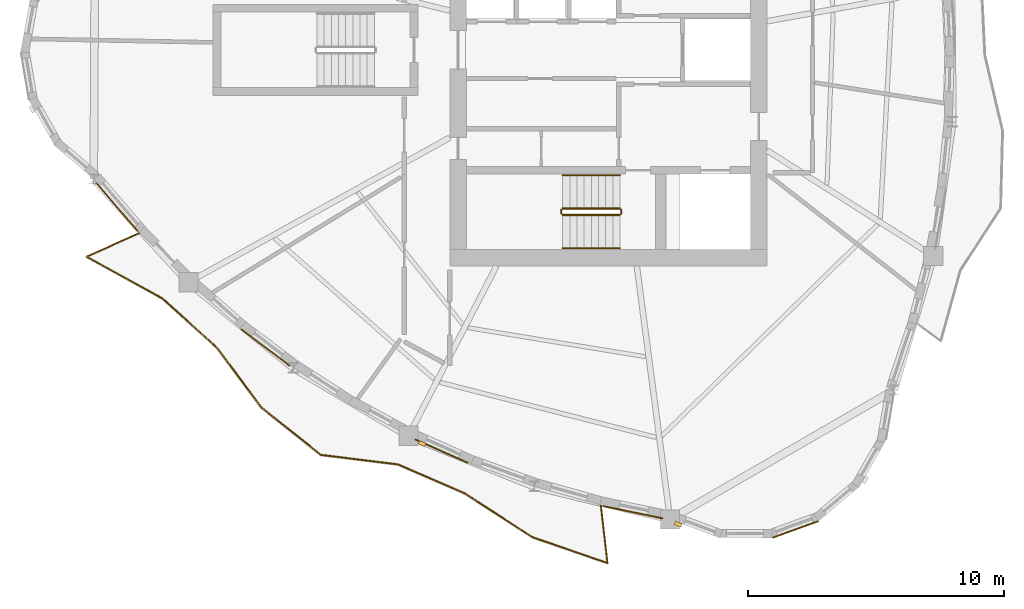
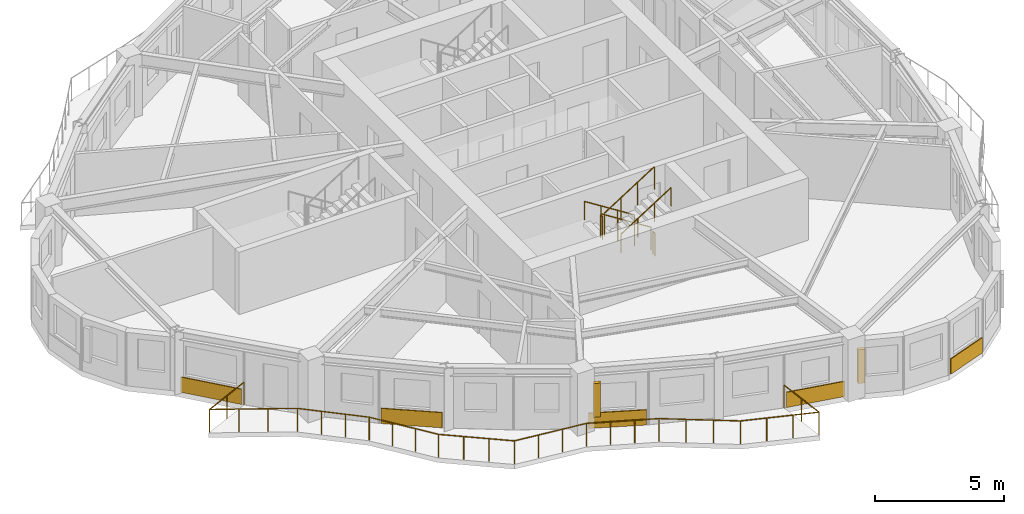
# One storey, part 9 of 12: 7 railings, 5 coverings, 2 shading devices.
"""IFC4 building model written with IfcOpenShell, lengths in metres."""

from ifc_helpers import new_model, si_unit, direction, frame, origin, origin_2d, place, context, subcontext, project, spatial, rectangle, circle, extrude, source, transform, mapped, material, layer, layer_set, type_object, element, save


model = new_model("IFC4")

# Units and contexts
model_context = context("Model", 3, precision=1e-05, world=origin(), true_north=direction((0.0, 1.0)))
body_context = subcontext(model_context, "Body", "Model", "MODEL_VIEW")
ifc_project = project(units=[si_unit("LENGTHUNIT", "METRE"), si_unit("AREAUNIT", "SQUARE_METRE"), si_unit("VOLUMEUNIT", "CUBIC_METRE"), si_unit("PLANEANGLEUNIT", "RADIAN"), si_unit("MASSUNIT", "GRAM", prefix="KILO")], contexts=[model_context])

# Site, building, storey
site_placement = place(None, origin())
site = spatial("IfcSite", under=ifc_project, at=site_placement, CompositionType="ELEMENT")
building_placement = place(site_placement, origin())
building = spatial("IfcBuilding", under=site, at=building_placement, Name="Qafzar Sky-Pleat Residences", CompositionType="ELEMENT")
storey_placement = place(building_placement, frame((0.0, 0.0, 171.39990234375)))
storey = spatial("IfcBuildingStorey", under=building, at=storey_placement, Name="L51", CompositionType="ELEMENT", Elevation=171.39990234375)

# Shading devices
ifc_material_1 = material(Name="Honed Riyadh limestone solar fin", Category="masonry")
ifc_layer_1 = layer(ifc_material_1, 0.139892578125)
ifc_layer_set_1 = layer_set([ifc_layer_1], Name="Honed Riyadh limestone solar fin")
shading_device_type = type_object("IfcShadingDeviceType", Name="SHD-FIN-STONE", PredefinedType="SHUTTER", material=ifc_layer_set_1)
shared_shape_1 = source(origin(), body_context, "Body", "SweptSolid", [
    extrude(rectangle(XDim=0.139892578125, YDim=0.280029296875, at=origin_2d()), origin(), (0.0, 0.0, 1.0), 1.60009765625),
])
for number, where, z_axis, x_axis, name in (
    (1, (23.06689453125, 10.6083984375, 0.60009765625), (0.0, 0.0, 1.0), (-0.407572231376, -0.913172971683, 0.0), "L51 Limestone Solar Fin 13"),
    (2, (33.074462890625, 7.46435546875, 0.60009765625), (0.0, 0.0, 1.0), (-0.349602764616, -0.936898023785, 0.0), "L51 Limestone Solar Fin 17"),
):
    element("IfcShadingDevice", number, at=place(storey_placement, frame(where, z_axis=z_axis, x_axis=x_axis)), inside=storey, type_object=shading_device_type, Name=name, PredefinedType="SHUTTER", context=body_context, shape_type="MappedRepresentation", body=[
        mapped(shared_shape_1, transform((0.0, 0.0, 0.0), x_axis=(1.0, 0.0, 0.0), y_axis=(0.0, 1.0, 0.0), z_axis=(0.0, 0.0, 1.0), scale=1.0)),
    ])

# Covering
ifc_material_2 = material(Name="Honed Riyadh Tuwaiq limestone cladding", Category="masonry")
ifc_layer_2 = layer(ifc_material_2, 0.044921875)
ifc_layer_set_2 = layer_set([ifc_layer_2], Name="Honed Riyadh Tuwaiq limestone cladding")
covering_type = type_object("IfcCoveringType", Name="COV-CLAD-STONE", PredefinedType="CLADDING", material=ifc_layer_set_2)
shared_shape_2 = source(origin(), body_context, "Body", "SweptSolid", [
    extrude(rectangle(XDim=1.89794921875, YDim=0.044921875, at=origin_2d()), origin(), (0.0, 0.0, 1.0), 0.719970703125),
])
covering_1_placement = place(storey_placement, frame((37.662353515625, 7.255126953125, 0.02001953125), z_axis=(0.0, 0.0, 1.0), x_axis=(0.940237058311, 0.340520592886, 0.0)))
element("IfcCovering", 3, at=covering_1_placement, inside=storey, type_object=covering_type, Name="L51 Riyadh Limestone Spandrel Cladding 19", PredefinedType="CLADDING", context=body_context, shape_type="MappedRepresentation", body=[
    mapped(shared_shape_2, transform((0.0, 0.0, 0.0), x_axis=(1.0, 0.0, 0.0), y_axis=(0.0, 1.0, 0.0), z_axis=(0.0, 0.0, 1.0), scale=1.0)),
])

# Railing
ifc_material_3 = material(Name="Laminated glass and bronze steel balustrade", Category="steel")
railing_type_1 = type_object("IfcRailingType", Name="RAIL-BAL-1100", PredefinedType="BALUSTRADE", material=ifc_material_3)
shared_shape_3 = source(origin(), body_context, "Body", "SweptSolid", [
    extrude(circle(Radius=0.02392578125, at=origin_2d()), frame((0.0, 0.0, 1.076171875), z_axis=(-0.912628302889, -0.408790387321, 0.0), x_axis=(0.408790387321, -0.912628302889, 0.0)), (0.0, 0.0, 1.0), 2.270751953125),
    extrude(circle(Radius=0.02392578125, at=origin_2d()), frame((-2.072265625, -0.92822265625, 1.076171875), z_axis=(0.876088688063, -0.482149987709, 0.0), x_axis=(0.482149987709, 0.876088688063, 0.0)), (0.0, 0.0, 1.0), 3.404296875),
    extrude(circle(Radius=0.02392578125, at=origin_2d()), frame((0.91015625, -2.569580078125, 1.076171875), z_axis=(0.742479428392, -0.669868866581, 0.0), x_axis=(0.669868866581, 0.742479428392, 0.0)), (0.0, 0.0, 1.0), 2.847900390625),
    extrude(circle(Radius=0.02392578125, at=origin_2d()), frame((3.024658203125, -4.477294921875, 1.076171875), z_axis=(0.596314764926, -0.802750709206, 0.0), x_axis=(0.802750709206, 0.596314764926, 0.0)), (0.0, 0.0, 1.0), 2.919921875),
    extrude(circle(Radius=0.02392578125, at=origin_2d()), frame((4.765869140625, -6.8212890625, 1.076171875), z_axis=(0.782537513301, -0.622603437411, 0.0), x_axis=(0.622603437411, 0.782537513301, 0.0)), (0.0, 0.0, 1.0), 2.978271484375),
    extrude(circle(Radius=0.02392578125, at=origin_2d()), frame((7.096435546875, -8.675537109375, 1.076171875), z_axis=(0.992462216808, -0.12255100248, 0.0), x_axis=(0.12255100248, 0.992462216808, 0.0)), (0.0, 0.0, 1.0), 3.0380859375),
    extrude(circle(Radius=0.02392578125, at=origin_2d()), frame((10.111572265625, -9.0478515625, 1.076171875), z_axis=(0.917327123061, -0.398134335742, 0.0), x_axis=(0.398134335742, 0.917327123061, 0.0)), (0.0, 0.0, 1.0), 2.8212890625),
    extrude(circle(Radius=0.02392578125, at=origin_2d()), frame((12.69970703125, -10.171142578125, 1.076171875), z_axis=(0.839716807714, -0.54302456928, 0.0), x_axis=(0.54302456928, 0.839716807714, 0.0)), (0.0, 0.0, 1.0), 3.170654296875),
    extrude(circle(Radius=0.02392578125, at=origin_2d()), frame((15.362060546875, -11.892822265625, 1.076171875), z_axis=(0.945528451343, -0.325539471802, 0.0), x_axis=(0.325539471802, 0.945528451343, 0.0)), (0.0, 0.0, 1.0), 3.101806640625),
    extrude(circle(Radius=0.02392578125, at=origin_2d()), frame((18.294921875, -12.902587890625, 1.076171875), z_axis=(-0.114701632597, 0.993399987658, 0.0), x_axis=(-0.993399987658, -0.114701632597, 0.0)), (0.0, 0.0, 1.0), 2.27099609375),
    extrude(circle(Radius=0.02099609375, at=origin_2d()), origin(), (0.0, 0.0, 1.0), 1.052001953125),
    extrude(circle(Radius=0.02099609375, at=origin_2d()), frame((-1.0361328125, -0.464111328125, 0.0)), (0.0, 0.0, 1.0), 1.052001953125),
    extrude(circle(Radius=0.02099609375, at=origin_2d()), frame((-2.072265625, -0.92822265625, 0.0)), (0.0, 0.0, 1.0), 1.052001953125),
    extrude(circle(Radius=0.02099609375, at=origin_2d()), frame((-1.078125, -1.475341796875, 0.0)), (0.0, 0.0, 1.0), 1.052001953125),
    extrude(circle(Radius=0.02099609375, at=origin_2d()), frame((-0.083984375, -2.0224609375, 0.0)), (0.0, 0.0, 1.0), 1.052001953125),
    extrude(circle(Radius=0.02099609375, at=origin_2d()), frame((0.91015625, -2.569580078125, 0.0)), (0.0, 0.0, 1.0), 1.052001953125),
    extrude(circle(Radius=0.02099609375, at=origin_2d()), frame((1.614990234375, -3.20556640625, 0.0)), (0.0, 0.0, 1.0), 1.052001953125),
    extrude(circle(Radius=0.02099609375, at=origin_2d()), frame((2.31982421875, -3.84130859375, 0.0)), (0.0, 0.0, 1.0), 1.052001953125),
    extrude(circle(Radius=0.02099609375, at=origin_2d()), frame((3.024658203125, -4.477294921875, 0.0)), (0.0, 0.0, 1.0), 1.052001953125),
    extrude(circle(Radius=0.02099609375, at=origin_2d()), frame((3.60498046875, -5.258544921875, 0.0)), (0.0, 0.0, 1.0), 1.052001953125),
    extrude(circle(Radius=0.02099609375, at=origin_2d()), frame((4.185546875, -6.0400390625, 0.0)), (0.0, 0.0, 1.0), 1.052001953125),
    extrude(circle(Radius=0.02099609375, at=origin_2d()), frame((4.765869140625, -6.8212890625, 0.0)), (0.0, 0.0, 1.0), 1.052001953125),
    extrude(circle(Radius=0.02099609375, at=origin_2d()), frame((5.542724609375, -7.439453125, 0.0)), (0.0, 0.0, 1.0), 1.052001953125),
    extrude(circle(Radius=0.02099609375, at=origin_2d()), frame((6.319580078125, -8.057373046875, 0.0)), (0.0, 0.0, 1.0), 1.052001953125),
    extrude(circle(Radius=0.02099609375, at=origin_2d()), frame((7.096435546875, -8.675537109375, 0.0)), (0.0, 0.0, 1.0), 1.052001953125),
    extrude(circle(Radius=0.02099609375, at=origin_2d()), frame((8.1015625, -8.799560546875, 0.0)), (0.0, 0.0, 1.0), 1.052001953125),
    extrude(circle(Radius=0.02099609375, at=origin_2d()), frame((9.1064453125, -8.923828125, 0.0)), (0.0, 0.0, 1.0), 1.052001953125),
    extrude(circle(Radius=0.02099609375, at=origin_2d()), frame((10.111572265625, -9.0478515625, 0.0)), (0.0, 0.0, 1.0), 1.052001953125),
    extrude(circle(Radius=0.02099609375, at=origin_2d()), frame((10.974365234375, -9.42236328125, 0.0)), (0.0, 0.0, 1.0), 1.052001953125),
    extrude(circle(Radius=0.02099609375, at=origin_2d()), frame((11.8369140625, -9.796630859375, 0.0)), (0.0, 0.0, 1.0), 1.052001953125),
    extrude(circle(Radius=0.02099609375, at=origin_2d()), frame((12.69970703125, -10.171142578125, 0.0)), (0.0, 0.0, 1.0), 1.052001953125),
    extrude(circle(Radius=0.02099609375, at=origin_2d()), frame((13.587158203125, -10.7451171875, 0.0)), (0.0, 0.0, 1.0), 1.052001953125),
    extrude(circle(Radius=0.02099609375, at=origin_2d()), frame((14.474609375, -11.31884765625, 0.0)), (0.0, 0.0, 1.0), 1.052001953125),
    extrude(circle(Radius=0.02099609375, at=origin_2d()), frame((15.362060546875, -11.892822265625, 0.0)), (0.0, 0.0, 1.0), 1.052001953125),
    extrude(circle(Radius=0.02099609375, at=origin_2d()), frame((16.339599609375, -12.2294921875, 0.0)), (0.0, 0.0, 1.0), 1.052001953125),
    extrude(circle(Radius=0.02099609375, at=origin_2d()), frame((17.3173828125, -12.56591796875, 0.0)), (0.0, 0.0, 1.0), 1.052001953125),
    extrude(circle(Radius=0.02099609375, at=origin_2d()), frame((18.294921875, -12.902587890625, 0.0)), (0.0, 0.0, 1.0), 1.052001953125),
    extrude(circle(Radius=0.02099609375, at=origin_2d()), frame((18.16455078125, -11.7744140625, 0.0)), (0.0, 0.0, 1.0), 1.052001953125),
    extrude(circle(Radius=0.02099609375, at=origin_2d()), frame((18.034423828125, -10.646484375, 0.0)), (0.0, 0.0, 1.0), 1.052001953125),
])
railing_1_placement = place(storey_placement, frame((12.021484375, 18.844482421875, 0.0)))
element("IfcRailing", 4, at=railing_1_placement, inside=storey, type_object=railing_type_1, Name="L51 Pleated Balcony 3 Balustrade", PredefinedType="BALUSTRADE", context=body_context, shape_type="MappedRepresentation", body=[
    mapped(shared_shape_3, transform((0.0, 0.0, 0.0), x_axis=(1.0, 0.0, 0.0), y_axis=(0.0, 1.0, 0.0), z_axis=(0.0, 0.0, 1.0), scale=1.0)),
])

# Coverings
shared_shape_4 = source(origin(), body_context, "Body", "SweptSolid", [
    extrude(rectangle(XDim=2.50439453125, YDim=0.044921875, at=origin_2d()), origin(), (0.0, 0.0, 1.0), 0.719970703125),
])
covering_2_placement = place(storey_placement, frame((11.1357421875, 19.863037109375, 0.02001953125), z_axis=(0.0, 0.0, 1.0), x_axis=(0.650294051701, -0.759682595774, 0.0)))
element("IfcCovering", 5, at=covering_2_placement, inside=storey, type_object=covering_type, Name="L51 Riyadh Limestone Spandrel Cladding 7", PredefinedType="CLADDING", context=body_context, shape_type="MappedRepresentation", body=[
    mapped(shared_shape_4, transform((0.0, 0.0, 0.0), x_axis=(1.0, 0.0, 0.0), y_axis=(0.0, 1.0, 0.0), z_axis=(0.0, 0.0, 1.0), scale=1.0)),
])
shared_shape_5 = source(origin(), body_context, "Body", "SweptSolid", [
    extrude(rectangle(XDim=2.385986328125, YDim=0.044921875, at=origin_2d()), origin(), (0.0, 0.0, 1.0), 0.719970703125),
])
covering_3_placement = place(storey_placement, frame((16.94580078125, 14.36865234375, 0.02001953125), z_axis=(0.0, 0.0, 1.0), x_axis=(0.797990277457, -0.602670322053, 0.0)))
element("IfcCovering", 6, at=covering_3_placement, inside=storey, type_object=covering_type, Name="L51 Riyadh Limestone Spandrel Cladding 10", PredefinedType="CLADDING", context=body_context, shape_type="MappedRepresentation", body=[
    mapped(shared_shape_5, transform((0.0, 0.0, 0.0), x_axis=(1.0, 0.0, 0.0), y_axis=(0.0, 1.0, 0.0), z_axis=(0.0, 0.0, 1.0), scale=1.0)),
])
shared_shape_6 = source(origin(), body_context, "Body", "SweptSolid", [
    extrude(rectangle(XDim=2.25537109375, YDim=0.044921875, at=origin_2d()), origin(), (0.0, 0.0, 1.0), 0.719970703125),
])
covering_4_placement = place(storey_placement, frame((23.82421875, 10.317626953125, 0.02001953125), z_axis=(0.0, 0.0, 1.0), x_axis=(0.913162019486, -0.407596769085, 0.0)))
element("IfcCovering", 7, at=covering_4_placement, inside=storey, type_object=covering_type, Name="L51 Riyadh Limestone Spandrel Cladding 13", PredefinedType="CLADDING", context=body_context, shape_type="MappedRepresentation", body=[
    mapped(shared_shape_6, transform((0.0, 0.0, 0.0), x_axis=(1.0, 0.0, 0.0), y_axis=(0.0, 1.0, 0.0), z_axis=(0.0, 0.0, 1.0), scale=1.0)),
])
shared_shape_7 = source(origin(), body_context, "Body", "SweptSolid", [
    extrude(rectangle(XDim=2.373779296875, YDim=0.044921875, at=origin_2d()), origin(), (0.0, 0.0, 1.0), 0.719970703125),
])
covering_5_placement = place(storey_placement, frame((31.30419921875, 7.92919921875, 0.02001953125), z_axis=(0.0, 0.0, 1.0), x_axis=(0.979315630611, -0.202338566865, 0.0)))
element("IfcCovering", 8, at=covering_5_placement, inside=storey, type_object=covering_type, Name="L51 Riyadh Limestone Spandrel Cladding 16", PredefinedType="CLADDING", context=body_context, shape_type="MappedRepresentation", body=[
    mapped(shared_shape_7, transform((0.0, 0.0, 0.0), x_axis=(1.0, 0.0, 0.0), y_axis=(0.0, 1.0, 0.0), z_axis=(0.0, 0.0, 1.0), scale=1.0)),
])

# Railings
ifc_material_4 = material(Name="Painted Steel S355 stair guardrail", Category="steel")
railing_type_2 = type_object("IfcRailingType", Name="RAIL-STAIR-GUARD", PredefinedType="GUARDRAIL", material=ifc_material_4)
shared_shape_8 = source(origin(), body_context, "Body", "SweptSolid", [
    extrude(circle(Radius=0.02392578125, at=origin_2d()), frame((0.0, 0.0, 1.076171875), z_axis=(0.0, -1.0, 0.0), x_axis=(1.0, 0.0, 0.0)), (0.0, 0.0, 1.0), 0.14990234375),
    extrude(circle(Radius=0.02099609375, at=origin_2d()), origin(), (0.0, 0.0, 1.0), 1.052001953125),
    extrude(circle(Radius=0.02099609375, at=origin_2d()), frame((0.0, -0.14990234375, 0.0)), (0.0, 0.0, 1.0), 1.052001953125),
])
for number, where, name in (
    (9, (28.510009765625, 19.75, 1.60009765625), "L51 ST1 stair guard 2"),
    (10, (30.85009765625, 19.75, 0.0), "L51 ST1 stair guard 4"),
):
    element("IfcRailing", number, at=place(storey_placement, frame(where)), inside=storey, type_object=railing_type_2, Name=name, PredefinedType="GUARDRAIL", context=body_context, shape_type="MappedRepresentation", body=[
        mapped(shared_shape_8, transform((0.0, 0.0, 0.0), x_axis=(1.0, 0.0, 0.0), y_axis=(0.0, 1.0, 0.0), z_axis=(0.0, 0.0, 1.0), scale=1.0)),
    ])
shared_shape_9 = source(origin(), body_context, "Body", "SweptSolid", [
    extrude(circle(Radius=0.02392578125, at=origin_2d()), frame((0.0, 0.0, 1.076171875), z_axis=(-0.8442293374, 0.0, 0.53598211339), x_axis=(0.0, -1.0, 0.0)), (0.0, 0.0, 1.0), 2.6533203125),
    extrude(circle(Radius=0.02099609375, at=origin_2d()), origin(), (0.0, 0.0, 1.0), 1.052001953125),
    extrude(circle(Radius=0.02099609375, at=origin_2d()), frame((-0.74658203125, 0.0, 0.47412109375)), (0.0, 0.0, 1.0), 1.052001953125),
    extrude(circle(Radius=0.02099609375, at=origin_2d()), frame((-1.493408203125, 0.0, 0.947998046875)), (0.0, 0.0, 1.0), 1.052001953125),
    extrude(circle(Radius=0.02099609375, at=origin_2d()), frame((-2.239990234375, 0.0, 1.422119140625)), (0.0, 0.0, 1.0), 1.052001953125),
])
railing_2_placement = place(storey_placement, frame((30.800048828125, 19.800048828125, 0.177978515625)))
element("IfcRailing", 11, at=railing_2_placement, inside=storey, type_object=railing_type_2, Name="L51 ST1 stair guard 1", PredefinedType="GUARDRAIL", context=body_context, shape_type="MappedRepresentation", body=[
    mapped(shared_shape_9, transform((0.0, 0.0, 0.0), x_axis=(1.0, 0.0, 0.0), y_axis=(0.0, 1.0, 0.0), z_axis=(0.0, 0.0, 1.0), scale=1.0)),
])
ifc_material_5 = material(Name="Brushed stainless steel handrail", Category="steel")
railing_type_3 = type_object("IfcRailingType", Name="RAIL-STAIR-HAND", PredefinedType="HANDRAIL", material=ifc_material_5)
shared_shape_10 = source(origin(), body_context, "Body", "SweptSolid", [
    extrude(circle(Radius=0.02392578125, at=origin_2d()), frame((0.0, 0.0, 0.8759765625), z_axis=(-0.8442293374, 0.0, 0.53598211339), x_axis=(0.0, -1.0, 0.0)), (0.0, 0.0, 1.0), 2.6533203125),
    extrude(circle(Radius=0.02099609375, at=origin_2d()), origin(), (0.0, 0.0, 1.0), 0.851806640625),
    extrude(circle(Radius=0.02099609375, at=origin_2d()), frame((-0.74658203125, 0.0, 0.47412109375)), (0.0, 0.0, 1.0), 0.851806640625),
    extrude(circle(Radius=0.02099609375, at=origin_2d()), frame((-1.493408203125, 0.0, 0.947998046875)), (0.0, 0.0, 1.0), 0.851806640625),
    extrude(circle(Radius=0.02099609375, at=origin_2d()), frame((-2.239990234375, 0.0, 1.422119140625)), (0.0, 0.0, 1.0), 0.851806640625),
])
railing_3_placement = place(storey_placement, frame((30.800048828125, 21.10009765625, 0.177978515625)))
element("IfcRailing", 12, at=railing_3_placement, inside=storey, type_object=railing_type_3, Name="L51 ST1 stair handrail 1", PredefinedType="HANDRAIL", context=body_context, shape_type="MappedRepresentation", body=[
    mapped(shared_shape_10, transform((0.0, 0.0, 0.0), x_axis=(1.0, 0.0, 0.0), y_axis=(0.0, 1.0, 0.0), z_axis=(0.0, 0.0, 1.0), scale=1.0)),
])
shared_shape_11 = source(origin(), body_context, "Body", "SweptSolid", [
    extrude(circle(Radius=0.02392578125, at=origin_2d()), frame((0.0, 0.0, 1.076171875), z_axis=(0.84418770128, 0.0, 0.536047689118), x_axis=(0.0, 1.0, 0.0)), (0.0, 0.0, 1.0), 2.6533203125),
    extrude(circle(Radius=0.02099609375, at=origin_2d()), origin(), (0.0, 0.0, 1.0), 1.052001953125),
    extrude(circle(Radius=0.02099609375, at=origin_2d()), frame((0.74658203125, 0.0, 0.47412109375)), (0.0, 0.0, 1.0), 1.052001953125),
    extrude(circle(Radius=0.02099609375, at=origin_2d()), frame((1.493408203125, 0.0, 0.9482421875)), (0.0, 0.0, 1.0), 1.052001953125),
    extrude(circle(Radius=0.02099609375, at=origin_2d()), frame((2.239990234375, 0.0, 1.42236328125)), (0.0, 0.0, 1.0), 1.052001953125),
])
railing_4_placement = place(storey_placement, frame((28.56005859375, 19.550048828125, 1.77783203125)))
element("IfcRailing", 13, at=railing_4_placement, inside=storey, type_object=railing_type_2, Name="L51 ST1 stair guard 3", PredefinedType="GUARDRAIL", context=body_context, shape_type="MappedRepresentation", body=[
    mapped(shared_shape_11, transform((0.0, 0.0, 0.0), x_axis=(1.0, 0.0, 0.0), y_axis=(0.0, 1.0, 0.0), z_axis=(0.0, 0.0, 1.0), scale=1.0)),
])
shared_shape_12 = source(origin(), body_context, "Body", "SweptSolid", [
    extrude(circle(Radius=0.02392578125, at=origin_2d()), frame((0.0, 0.0, 0.8759765625), z_axis=(0.84418770128, 0.0, 0.536047689118), x_axis=(0.0, 1.0, 0.0)), (0.0, 0.0, 1.0), 2.6533203125),
    extrude(circle(Radius=0.02099609375, at=origin_2d()), origin(), (0.0, 0.0, 1.0), 0.851806640625),
    extrude(circle(Radius=0.02099609375, at=origin_2d()), frame((0.74658203125, 0.0, 0.47412109375)), (0.0, 0.0, 1.0), 0.851806640625),
    extrude(circle(Radius=0.02099609375, at=origin_2d()), frame((1.493408203125, 0.0, 0.9482421875)), (0.0, 0.0, 1.0), 0.851806640625),
    extrude(circle(Radius=0.02099609375, at=origin_2d()), frame((2.239990234375, 0.0, 1.42236328125)), (0.0, 0.0, 1.0), 0.851806640625),
])
railing_5_placement = place(storey_placement, frame((28.56005859375, 18.25, 1.77783203125)))
element("IfcRailing", 14, at=railing_5_placement, inside=storey, type_object=railing_type_3, Name="L51 ST1 stair handrail 2", PredefinedType="HANDRAIL", context=body_context, shape_type="MappedRepresentation", body=[
    mapped(shared_shape_12, transform((0.0, 0.0, 0.0), x_axis=(1.0, 0.0, 0.0), y_axis=(0.0, 1.0, 0.0), z_axis=(0.0, 0.0, 1.0), scale=1.0)),
])

save(model, "model.ifc")
